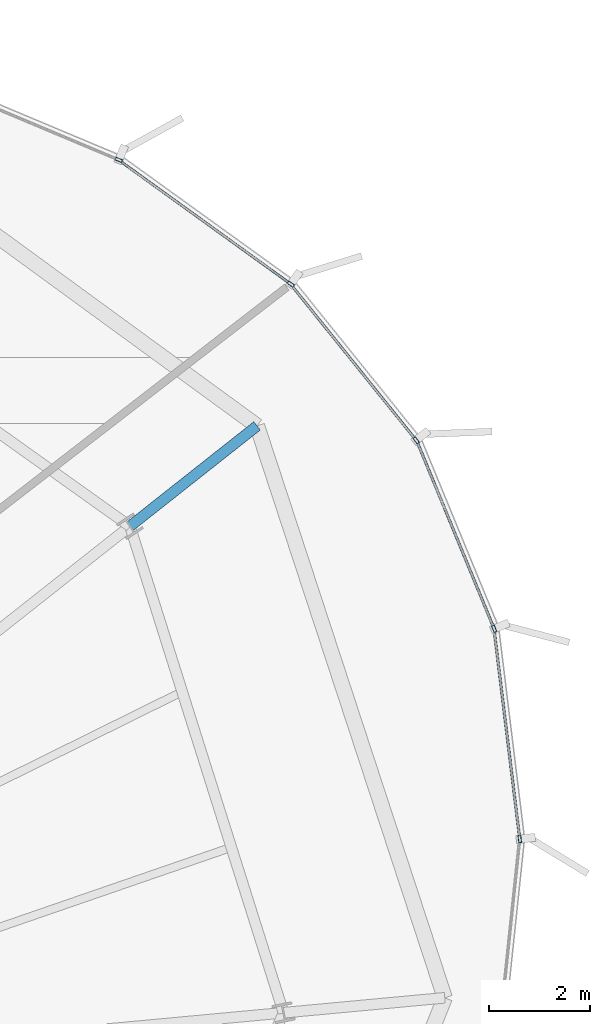
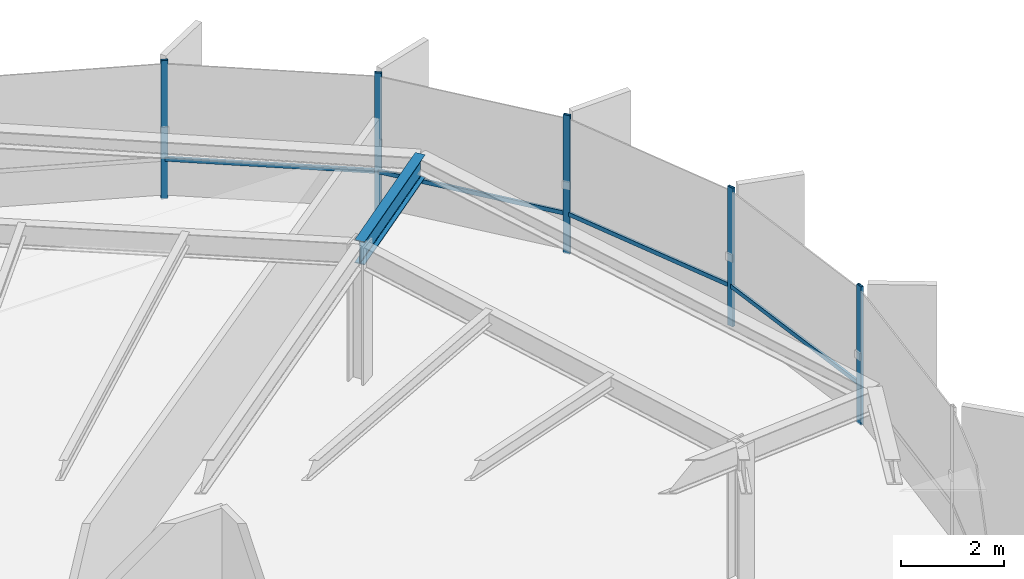
# One storey, part 23 of 32: 9 members, 1 beam, 2 elements without a shape of their own.
"""IFC4 building model written with IfcOpenShell, lengths in metres."""

from ifc_helpers import new_model, si_unit, direction, frame, origin, origin_2d, place, context, subcontext, project, spatial, hollow_rectangle, i_section, extrude, source, transform, mapped, material, layer, layer_set, material_profile, profile_set, type_object, element, aggregate, save


model = new_model("IFC4")

# Units and contexts
model_context = context("Model", 3, precision=1e-05, world=origin(), true_north=direction((0.0, 1.0)))
body_context = subcontext(model_context, "Body", "Model", "MODEL_VIEW")
ifc_project = project(units=[si_unit("LENGTHUNIT", "METRE"), si_unit("AREAUNIT", "SQUARE_METRE"), si_unit("VOLUMEUNIT", "CUBIC_METRE"), si_unit("PLANEANGLEUNIT", "RADIAN"), si_unit("MASSUNIT", "GRAM", prefix="KILO"), si_unit("THERMODYNAMICTEMPERATUREUNIT", "KELVIN")], contexts=[model_context])

# Site, building, storey
site_placement = place(None, origin())
site = spatial("IfcSite", under=ifc_project, at=site_placement, CompositionType="ELEMENT")
building_placement = place(site_placement, origin())
building = spatial("IfcBuilding", under=site, at=building_placement, Name="Kethvar Cultural Tower", CompositionType="ELEMENT")
storey_placement = place(building_placement, frame((0.0, 0.0, 157.199951171875)))
storey = spatial("IfcBuildingStorey", under=building, at=storey_placement, Name="L40", CompositionType="ELEMENT", Elevation=157.199951171875)

# Beam
ifc_material_1 = material(Name="Steel S355J2", Category="steel")
ifc_material_profile_1 = material_profile(ifc_material_1, i_section(OverallWidth=0.2099609375, OverallDepth=0.550048828125, WebThickness=0.010986328125, FlangeThickness=0.01708984375, FilletRadius=0.02392578125, at=origin_2d()), Name="Steel S355J2 — IPE550")
ifc_profile_set_1 = profile_set([ifc_material_profile_1], Name="Steel S355J2 — IPE550")
beam_type = type_object("IfcBeamType", Name="BM-IPE550", PredefinedType="BEAM", material=ifc_profile_set_1)
shared_shape_1 = source(origin(), body_context, "Body", "SweptSolid", [
    extrude(i_section(OverallWidth=0.2099609375, OverallDepth=0.550048828125, WebThickness=0.010986328125, FlangeThickness=0.01708984375, FilletRadius=0.02392578125, at=origin_2d()), origin(), (0.0, 0.0, 1.0), 3.2001953125),
])
beam_placement = place(storey_placement, frame((68.568603515625, 42.34521484375, 3.02294921875), z_axis=(0.784650322996, 0.619938602301, 0.0), x_axis=(-0.619938602301, 0.784650322996, 0.0)))
element("IfcBeam", 1, at=beam_placement, inside=storey, type_object=beam_type, Name="L40 Perimeter Cantilever Beam RC-02", PredefinedType="BEAM", context=body_context, shape_type="MappedRepresentation", body=[
    mapped(shared_shape_1, transform((0.0, 0.0, 0.0), scale=1.0)),
])

# Curtain wall, members
ifc_material_2 = material(Name="Aluminium 6063-T6", Category="aluminium")
ifc_layer = layer(ifc_material_2, 0.179931640625, Name="Aluminium 6063-T6", Category="aluminium")
ifc_layer_set = layer_set([ifc_layer], Name="Aluminium 6063-T6 (180 mm)")
curtain_wall_type = type_object("IfcCurtainWallType", Name="CW-SYS-04-Z34", PredefinedType="NOTDEFINED", material=ifc_layer_set)
curtain_wall_1_placement = place(storey_placement, origin())
curtain_wall_1 = element("IfcCurtainWall", 2, at=curtain_wall_1_placement, inside=storey, type_object=curtain_wall_type, Name="L40 Curtain Wall Run 01", PredefinedType="NOTDEFINED")
ifc_material_profile_2 = material_profile(ifc_material_2, hollow_rectangle(XDim=0.06005859375, YDim=0.139892578125, WallThickness=0.0048828125, at=origin_2d()), Name="Aluminium 6063-T6 — RHS140x60x5")
ifc_profile_set_2 = profile_set([ifc_material_profile_2], Name="Aluminium 6063-T6 — RHS140x60x5")
member_type_1 = type_object("IfcMemberType", Name="CW-SYS-04-Z34-MUL", PredefinedType="MULLION", material=ifc_profile_set_2)
shared_shape_2 = source(origin(), body_context, "Body", "SweptSolid", [
    extrude(hollow_rectangle(XDim=0.06005859375, YDim=0.139892578125, WallThickness=0.0048828125, at=origin_2d()), origin(), (0.0, 0.0, 1.0), 3.300048828125),
])
member_1_placement = place(storey_placement, frame((74.223388671875, 44.044921875, 0.0), z_axis=(0.0, 0.0, 1.0), x_axis=(-0.779141073083, -0.626848616681, 0.0)))
member_1 = element("IfcMember", 3, at=member_1_placement, type_object=member_type_1, Name="CW-L40-R01 Mullion 1", PredefinedType="MULLION", context=body_context, shape_type="MappedRepresentation", body=[
    mapped(shared_shape_2, transform((0.0, 0.0, 0.0), scale=1.0)),
])
member_2_placement = place(storey_placement, frame((71.74609375, 47.130615234375, 0.0), z_axis=(0.0, 0.0, 1.0), x_axis=(-0.584816108738, -0.81116590101, 0.0)))
member_2 = element("IfcMember", 4, at=member_2_placement, type_object=member_type_1, Name="CW-L40-R01 Mullion 2", PredefinedType="MULLION", context=body_context, shape_type="MappedRepresentation", body=[
    mapped(shared_shape_2, transform((0.0, 0.0, 0.0), scale=1.0)),
])
member_3_placement = place(storey_placement, frame((68.347900390625, 49.583984375, 0.0), z_axis=(0.0, 0.0, 1.0), x_axis=(-0.387193771905, -0.92199836388, 0.0)))
member_3 = element("IfcMember", 5, at=member_3_placement, type_object=member_type_1, Name="CW-L40-R01 Mullion 3", PredefinedType="MULLION", context=body_context, shape_type="MappedRepresentation", body=[
    mapped(shared_shape_2, transform((0.0, 0.0, 0.0), scale=1.0)),
])

curtain_wall_2_placement = place(storey_placement, origin())
curtain_wall_2 = element("IfcCurtainWall", 6, at=curtain_wall_2_placement, inside=storey, type_object=curtain_wall_type, Name="L40 Curtain Wall Run 06", PredefinedType="NOTDEFINED")
member_4_placement = place(storey_placement, frame((76.2705078125, 36.1630859375, 0.0), z_axis=(0.0, 0.0, 1.0), x_axis=(-0.992569530583, -0.121678785979, 0.0)))
member_4 = element("IfcMember", 7, at=member_4_placement, type_object=member_type_1, Name="CW-L40-R06 Mullion 5", PredefinedType="MULLION", context=body_context, shape_type="MappedRepresentation", body=[
    mapped(shared_shape_2, transform((0.0, 0.0, 0.0), scale=1.0)),
])
member_5_placement = place(storey_placement, frame((75.764892578125, 40.319091796875, 0.0), z_axis=(0.0, 0.0, 1.0), x_axis=(-0.924659058771, -0.38079604125, 0.0)))
member_5 = element("IfcMember", 8, at=member_5_placement, type_object=member_type_1, Name="CW-L40-R06 Mullion 6", PredefinedType="MULLION", context=body_context, shape_type="MappedRepresentation", body=[
    mapped(shared_shape_2, transform((0.0, 0.0, 0.0), scale=1.0)),
])

# Member
ifc_material_profile_3 = material_profile(ifc_material_2, hollow_rectangle(XDim=0.050048828125, YDim=0.10009765625, WallThickness=0.00390625, at=origin_2d()), Name="Aluminium 6063-T6 — RHS100x50x4")
ifc_profile_set_3 = profile_set([ifc_material_profile_3], Name="Aluminium 6063-T6 — RHS100x50x4")
member_type_2 = type_object("IfcMemberType", Name="CW-SYS-04-Z34-TRN", PredefinedType="USERDEFINED", material=ifc_profile_set_3)
shared_shape_3 = source(origin(), body_context, "Body", "SweptSolid", [
    extrude(hollow_rectangle(XDim=0.050048828125, YDim=0.10009765625, WallThickness=0.00390625, at=origin_2d()), origin(), (0.0, 0.0, 1.0), 3.939208984375),
])
member_6_placement = place(storey_placement, frame((74.220947265625, 44.048095703125, 0.949951171875), z_axis=(-0.626854356103, 0.779136455465, 0.0), x_axis=(-0.779136455465, -0.626854356103, 0.0)))
member_6 = element("IfcMember", 9, at=member_6_placement, type_object=member_type_2, Name="CW-L40-R01 Transom 1", ObjectType="TRANSOM", PredefinedType="USERDEFINED", context=body_context, shape_type="MappedRepresentation", body=[
    mapped(shared_shape_3, transform((0.0, 0.0, 0.0), scale=1.0)),
])

shared_shape_4 = source(origin(), body_context, "Body", "SweptSolid", [
    extrude(hollow_rectangle(XDim=0.050048828125, YDim=0.10009765625, WallThickness=0.00390625, at=origin_2d()), origin(), (0.0, 0.0, 1.0), 4.129638671875),
])
member_7_placement = place(storey_placement, frame((71.7109375, 47.156005859375, 0.949951171875), z_axis=(-0.811173117717, 0.584806098714, 0.0), x_axis=(-0.584806098714, -0.811173117717, 0.0)))
member_7 = element("IfcMember", 10, at=member_7_placement, type_object=member_type_2, Name="CW-L40-R01 Transom 2", ObjectType="TRANSOM", PredefinedType="USERDEFINED", context=body_context, shape_type="MappedRepresentation", body=[
    mapped(shared_shape_4, transform((0.0, 0.0, 0.0), scale=1.0)),
])

aggregate(curtain_wall_1, [member_1, member_2, member_3, member_6, member_7])

member_8_placement = place(storey_placement, frame((76.26513671875, 36.205810546875, 0.949951171875), z_axis=(-0.121669570482, 0.992570660265, 0.0), x_axis=(-0.992570660265, -0.121669570482, 0.0)))
member_8 = element("IfcMember", 11, at=member_8_placement, type_object=member_type_2, Name="CW-L40-R06 Transom 5", ObjectType="TRANSOM", PredefinedType="USERDEFINED", context=body_context, shape_type="MappedRepresentation", body=[
    mapped(shared_shape_4, transform((0.0, 0.0, 0.0), scale=1.0)),
])

shared_shape_5 = source(origin(), body_context, "Body", "SweptSolid", [
    extrude(hollow_rectangle(XDim=0.050048828125, YDim=0.10009765625, WallThickness=0.00390625, at=origin_2d()), origin(), (0.0, 0.0, 1.0), 3.939453125),
])
member_9_placement = place(storey_placement, frame((75.748291015625, 40.359130859375, 0.949951171875), z_axis=(-0.380774741825, 0.924667830082, 0.0), x_axis=(-0.924667830082, -0.380774741825, 0.0)))
member_9 = element("IfcMember", 12, at=member_9_placement, type_object=member_type_2, Name="CW-L40-R06 Transom 6", ObjectType="TRANSOM", PredefinedType="USERDEFINED", context=body_context, shape_type="MappedRepresentation", body=[
    mapped(shared_shape_5, transform((0.0, 0.0, 0.0), scale=1.0)),
])

aggregate(curtain_wall_2, [member_4, member_5, member_8, member_9])

save(model, "model.ifc")
